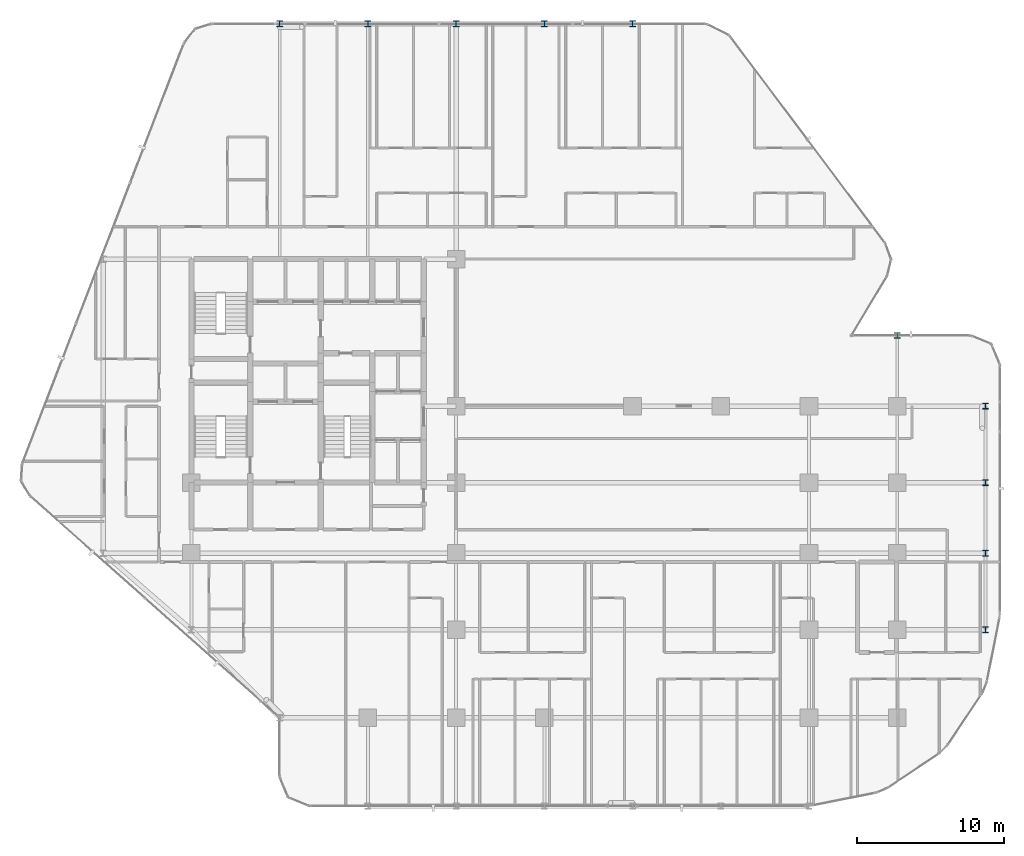
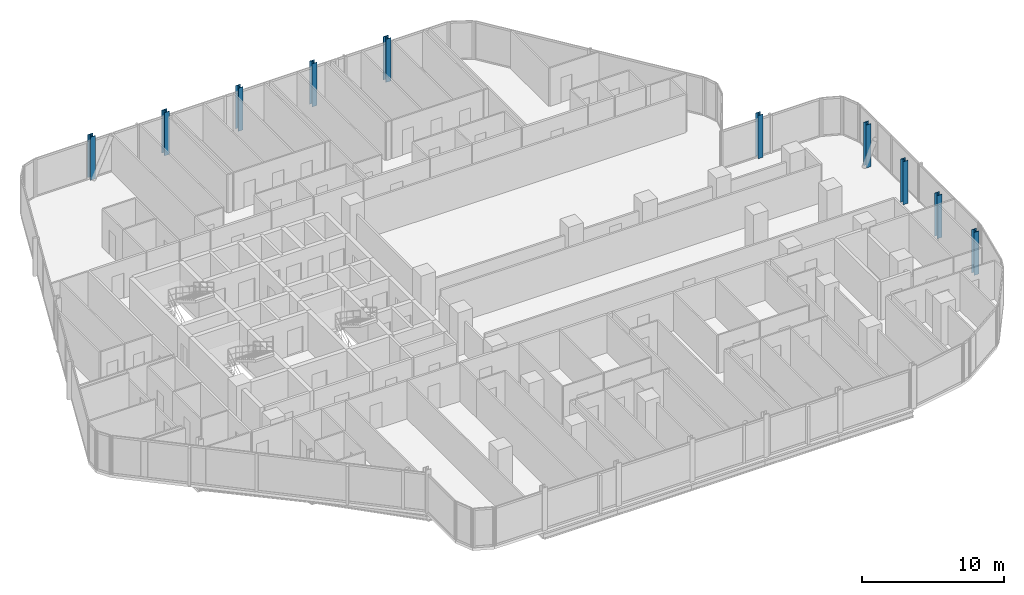
# One storey, part 2 of 34: 10 columns.
"""IFC4 building model written with IfcOpenShell, lengths in metres."""

from ifc_helpers import new_model, si_unit, direction, frame, origin, origin_2d, place, context, subcontext, project, spatial, i_section, extrude, material, material_profile, profile_set, type_object, element, save


model = new_model("IFC4")

# Units and contexts
model_context = context("Model", 3, precision=1e-05, world=origin(), true_north=direction((0.0, 1.0)))
body_context = subcontext(model_context, "Body", "Model", "MODEL_VIEW")
ifc_project = project(units=[si_unit("LENGTHUNIT", "METRE"), si_unit("AREAUNIT", "SQUARE_METRE"), si_unit("VOLUMEUNIT", "CUBIC_METRE"), si_unit("PLANEANGLEUNIT", "RADIAN"), si_unit("MASSUNIT", "GRAM", prefix="KILO")], contexts=[model_context])

# Site, building, storey
site_placement = place(None, origin())
site = spatial("IfcSite", under=ifc_project, at=site_placement, CompositionType="ELEMENT")
building_placement = place(site_placement, origin())
building = spatial("IfcBuilding", under=site, at=building_placement, Name="Keshet Zoharim Tower", CompositionType="ELEMENT")
storey_placement = place(building_placement, frame((0.0, 0.0, 77.5)))
storey = spatial("IfcBuildingStorey", under=building, at=storey_placement, Name="L18", CompositionType="ELEMENT", Elevation=77.5)

# Columns
ifc_material = material(Name="Steel S355", Category="steel")
ifc_material_profile = material_profile(ifc_material, i_section(OverallWidth=0.40087890625, OverallDepth=0.39892578125, WebThickness=0.02490234375, FlangeThickness=0.03955078125, FilletRadius=0.014892578125, at=origin_2d()), Name="HD400x314")
ifc_profile_set = profile_set([ifc_material_profile], Name="Steel S355")
column_type = type_object("IfcColumnType", Name="COL-HD314", PredefinedType="COLUMN", material=ifc_profile_set)
for number, where, z_axis, x_axis, name in (
    (1, (21.0, 53.89990234375, 0.0), (0.0, 0.0, 1.0), (1.0, 0.0, 0.0), "L18 Column 4L"),
    (2, (27.0, 53.89990234375, 0.0), (0.0, 0.0, 1.0), (1.0, 0.0, 0.0), "L18 Column 5L"),
    (3, (33.0, 53.89990234375, 0.0), (0.0, 0.0, 1.0), (1.0, 0.0, 0.0), "L18 Column 6L"),
    (4, (39.0, 53.89990234375, 0.0), (0.0, 0.0, 1.0), (1.0, 0.0, 0.0), "L18 Column 7L"),
    (5, (45.0, 53.89990234375, 0.0), (0.0, 0.0, 1.0), (1.0, 0.0, 0.0), "L18 Column 8L"),
    (6, (63.0, 32.699951171875, 0.0), (0.0, 0.0, 1.0), (1.0, 0.0, 0.0), "L18 Column 11G"),
    (7, (69.0, 12.699951171875, 0.0), (0.0, 0.0, 1.0), (1.0, 0.0, 0.0), "L18 Column 12C"),
    (8, (69.0, 17.89990234375, 0.0), (0.0, 0.0, 1.0), (1.0, 0.0, 0.0), "L18 Column 12D"),
    (9, (69.0, 22.699951171875, 0.0), (0.0, 0.0, 1.0), (1.0, 0.0, 0.0), "L18 Column 12E"),
    (10, (69.0, 27.89990234375, 0.0), (0.0, 0.0, 1.0), (1.0, 0.0, 0.0), "L18 Column 12F"),
):
    element("IfcColumn", number, at=place(storey_placement, frame(where, z_axis=z_axis, x_axis=x_axis)), inside=storey, type_object=column_type, Name=name, PredefinedType="COLUMN", context=body_context, shape_type="SweptSolid", body=[
        extrude(i_section(OverallWidth=0.40087890625, OverallDepth=0.39892578125, WebThickness=0.02490234375, FlangeThickness=0.03955078125, FilletRadius=0.014892578125, at=origin_2d()), origin(), (0.0, 0.0, 1.0), 3.699951171875),
    ])

save(model, "model.ifc")
